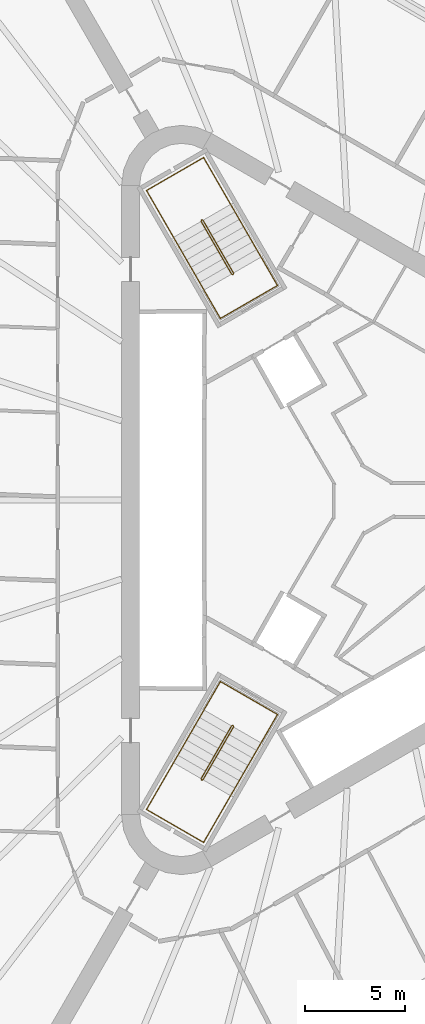
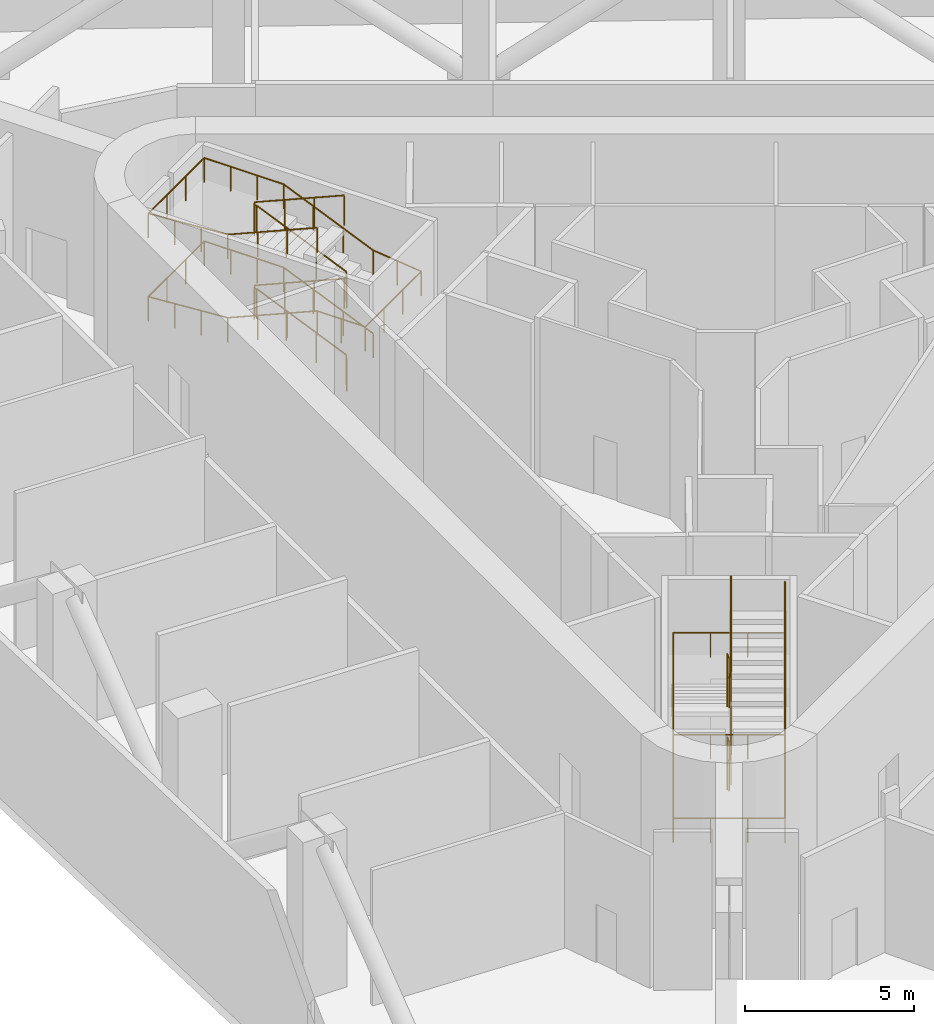
# One storey, part 12 of 13: 4 railings.
"""IFC4 building model written with IfcOpenShell, lengths in metres."""

from ifc_helpers import new_model, si_unit, direction, frame, origin, origin_2d, place, context, subcontext, project, spatial, circle, extrude, material, type_object, element, save


model = new_model("IFC4")

# Units and contexts
model_context = context("Model", 3, precision=1e-05, world=origin(), true_north=direction((0.0, 1.0)))
body_context = subcontext(model_context, "Body", "Model", "MODEL_VIEW")
ifc_project = project(units=[si_unit("LENGTHUNIT", "METRE"), si_unit("AREAUNIT", "SQUARE_METRE"), si_unit("VOLUMEUNIT", "CUBIC_METRE"), si_unit("PLANEANGLEUNIT", "RADIAN"), si_unit("MASSUNIT", "GRAM", prefix="KILO")], contexts=[model_context])

# Site, building, storey
site_placement = place(None, origin())
site = spatial("IfcSite", under=ifc_project, at=site_placement, CompositionType="ELEMENT")
building_placement = place(site_placement, origin())
building = spatial("IfcBuilding", under=site, at=building_placement, Name="Tanit Gate Tower", CompositionType="ELEMENT")
storey_placement = place(building_placement, frame((0.0, 0.0, 163.199951171875)))
storey = spatial("IfcBuildingStorey", under=building, at=storey_placement, Name="L35", CompositionType="ELEMENT", Elevation=163.199951171875)

# Railings
ifc_material_1 = material(Name="Stainless steel balustrade", Category="steel")
railing_type_1 = type_object("IfcRailingType", Name="INT-STAIR-GUARD", PredefinedType="GUARDRAIL", material=ifc_material_1)
railing_1_placement = place(storey_placement, frame((-6.527099609375, 11.29345703125, 0.0)))
element("IfcRailing", 1, at=railing_1_placement, inside=storey, type_object=railing_type_1, Name="L35 S2 stair guard 1", PredefinedType="GUARDRAIL", context=body_context, shape_type="SweptSolid", body=[
    extrude(circle(Radius=0.02392578125, at=origin_2d()), frame((0.0, 0.0, 1.076171875), z_axis=(0.868243142124, 0.496138938357, 0.0), x_axis=(-0.496138938357, 0.868243142124, 0.0)), (0.0, 0.0, 1.0), 0.01171875),
    extrude(circle(Radius=0.02392578125, at=origin_2d()), frame((0.01025390625, 0.005859375, 1.076171875), z_axis=(0.091365023295, 0.341096086969, 0.935577838543), x_axis=(-0.965948051503, 0.258736085224, 0.0)), (0.0, 0.0, 1.0), 0.200439453125),
    extrude(circle(Radius=0.02392578125, at=origin_2d()), frame((0.028564453125, 0.07421875, 1.263671875), z_axis=(-0.459281500864, 0.79545055458, 0.395371873282), x_axis=(-0.866012246495, -0.500022788402, 0.0)), (0.0, 0.0, 1.0), 3.319580078125),
    extrude(circle(Radius=0.02392578125, at=origin_2d()), frame((-1.49609375, 2.71484375, 2.576171875), z_axis=(-0.965715946433, 0.259601060869, 0.0), x_axis=(-0.259601060869, -0.965715946433, 0.0)), (0.0, 0.0, 1.0), 0.070556640625),
    extrude(circle(Radius=0.02392578125, at=origin_2d()), frame((-1.564208984375, 2.733154296875, 2.576171875), z_axis=(-0.873197702015, -0.487366159264, 0.0), x_axis=(0.487366159264, -0.873197702015, 0.0)), (0.0, 0.0, 1.0), 0.011962890625),
    extrude(circle(Radius=0.02392578125, at=origin_2d()), frame((-1.57470703125, 2.727294921875, 2.576171875), z_axis=(-0.091365023295, -0.341096086969, 0.935577838543), x_axis=(0.965948051503, -0.258736085224, 0.0)), (0.0, 0.0, 1.0), 0.200439453125),
    extrude(circle(Radius=0.02392578125, at=origin_2d()), frame((-1.593017578125, 2.658935546875, 2.763671875), z_axis=(0.459281500864, -0.79545055458, 0.395371873282), x_axis=(0.866012246495, 0.500022788402, 0.0)), (0.0, 0.0, 1.0), 3.319580078125),
    extrude(circle(Radius=0.02392578125, at=origin_2d()), frame((-0.068359375, 0.018310546875, 4.076171875), z_axis=(0.965948051503, -0.258736085224, 0.0), x_axis=(0.258736085224, 0.965948051503, 0.0)), (0.0, 0.0, 1.0), 0.07080078125),
    extrude(circle(Radius=0.02392578125, at=origin_2d()), frame((0.0, 0.0, 4.076171875), z_axis=(0.868243142124, 0.496138938357, 0.0), x_axis=(-0.496138938357, 0.868243142124, 0.0)), (0.0, 0.0, 1.0), 0.01171875),
    extrude(circle(Radius=0.02392578125, at=origin_2d()), frame((0.01025390625, 0.005859375, 4.076171875), z_axis=(0.091365023295, 0.341096086969, 0.935577838543), x_axis=(-0.965948051503, 0.258736085224, 0.0)), (0.0, 0.0, 1.0), 0.200439453125),
    extrude(circle(Radius=0.02392578125, at=origin_2d()), frame((0.028564453125, 0.07421875, 4.263671875), z_axis=(-0.459281500864, 0.79545055458, 0.395371873282), x_axis=(-0.866012246495, -0.500022788402, 0.0)), (0.0, 0.0, 1.0), 3.319580078125),
    extrude(circle(Radius=0.02392578125, at=origin_2d()), frame((-1.49609375, 2.71484375, 5.576171875), z_axis=(-0.965715946433, 0.259601060869, 0.0), x_axis=(-0.259601060869, -0.965715946433, 0.0)), (0.0, 0.0, 1.0), 0.070556640625),
    extrude(circle(Radius=0.02392578125, at=origin_2d()), frame((-1.564208984375, 2.733154296875, 5.576171875), z_axis=(-0.873197702015, -0.487366159264, 0.0), x_axis=(0.487366159264, -0.873197702015, 0.0)), (0.0, 0.0, 1.0), 0.011962890625),
    extrude(circle(Radius=0.02392578125, at=origin_2d()), frame((-1.57470703125, 2.727294921875, 5.576171875), z_axis=(-0.091365023295, -0.341096086969, 0.935577838543), x_axis=(0.965948051503, -0.258736085224, 0.0)), (0.0, 0.0, 1.0), 0.200439453125),
    extrude(circle(Radius=0.02392578125, at=origin_2d()), frame((-1.593017578125, 2.658935546875, 5.763671875), z_axis=(0.459281500864, -0.79545055458, 0.395371873282), x_axis=(0.866012246495, 0.500022788402, 0.0)), (0.0, 0.0, 1.0), 3.319580078125),
    extrude(circle(Radius=0.02099609375, at=origin_2d()), origin(), (0.0, 0.0, 1.0), 1.052001953125),
    extrude(circle(Radius=0.02099609375, at=origin_2d()), frame((0.01025390625, 0.005859375, 0.0)), (0.0, 0.0, 1.0), 1.052001953125),
    extrude(circle(Radius=0.02099609375, at=origin_2d()), frame((0.028564453125, 0.07421875, 0.1875)), (0.0, 0.0, 1.0), 1.052001953125),
    extrude(circle(Radius=0.02099609375, at=origin_2d()), frame((-0.479736328125, 0.954345703125, 0.625)), (0.0, 0.0, 1.0), 1.052001953125),
    extrude(circle(Radius=0.02099609375, at=origin_2d()), frame((-0.98779296875, 1.834716796875, 1.0625)), (0.0, 0.0, 1.0), 1.052001953125),
    extrude(circle(Radius=0.02099609375, at=origin_2d()), frame((-1.49609375, 2.71484375, 1.5)), (0.0, 0.0, 1.0), 1.052001953125),
    extrude(circle(Radius=0.02099609375, at=origin_2d()), frame((-1.564208984375, 2.733154296875, 1.5)), (0.0, 0.0, 1.0), 1.052001953125),
    extrude(circle(Radius=0.02099609375, at=origin_2d()), frame((-1.57470703125, 2.727294921875, 1.5)), (0.0, 0.0, 1.0), 1.052001953125),
    extrude(circle(Radius=0.02099609375, at=origin_2d()), frame((-1.593017578125, 2.658935546875, 1.6875)), (0.0, 0.0, 1.0), 1.052001953125),
    extrude(circle(Radius=0.02099609375, at=origin_2d()), frame((-1.084716796875, 1.77880859375, 2.125)), (0.0, 0.0, 1.0), 1.052001953125),
    extrude(circle(Radius=0.02099609375, at=origin_2d()), frame((-0.57666015625, 0.8984375, 2.5625)), (0.0, 0.0, 1.0), 1.052001953125),
    extrude(circle(Radius=0.02099609375, at=origin_2d()), frame((-0.068359375, 0.018310546875, 3.0)), (0.0, 0.0, 1.0), 1.052001953125),
    extrude(circle(Radius=0.02099609375, at=origin_2d()), frame((0.0, 0.0, 3.0)), (0.0, 0.0, 1.0), 1.052001953125),
    extrude(circle(Radius=0.02099609375, at=origin_2d()), frame((0.01025390625, 0.005859375, 3.0)), (0.0, 0.0, 1.0), 1.052001953125),
    extrude(circle(Radius=0.02099609375, at=origin_2d()), frame((0.028564453125, 0.07421875, 3.1875)), (0.0, 0.0, 1.0), 1.052001953125),
    extrude(circle(Radius=0.02099609375, at=origin_2d()), frame((-0.479736328125, 0.954345703125, 3.625)), (0.0, 0.0, 1.0), 1.052001953125),
    extrude(circle(Radius=0.02099609375, at=origin_2d()), frame((-0.98779296875, 1.834716796875, 4.0625)), (0.0, 0.0, 1.0), 1.052001953125),
    extrude(circle(Radius=0.02099609375, at=origin_2d()), frame((-1.49609375, 2.71484375, 4.5)), (0.0, 0.0, 1.0), 1.052001953125),
    extrude(circle(Radius=0.02099609375, at=origin_2d()), frame((-1.564208984375, 2.733154296875, 4.5)), (0.0, 0.0, 1.0), 1.052001953125),
    extrude(circle(Radius=0.02099609375, at=origin_2d()), frame((-1.57470703125, 2.727294921875, 4.5)), (0.0, 0.0, 1.0), 1.052001953125),
    extrude(circle(Radius=0.02099609375, at=origin_2d()), frame((-1.593017578125, 2.658935546875, 4.6875)), (0.0, 0.0, 1.0), 1.052001953125),
    extrude(circle(Radius=0.02099609375, at=origin_2d()), frame((-1.084716796875, 1.77880859375, 5.125)), (0.0, 0.0, 1.0), 1.052001953125),
    extrude(circle(Radius=0.02099609375, at=origin_2d()), frame((-0.57666015625, 0.8984375, 5.5625)), (0.0, 0.0, 1.0), 1.052001953125),
    extrude(circle(Radius=0.02099609375, at=origin_2d()), frame((-0.068359375, 0.018310546875, 6.0)), (0.0, 0.0, 1.0), 1.052001953125),
])
railing_2_placement = place(storey_placement, frame((-6.51806640625, -11.2998046875, 0.0)))
element("IfcRailing", 2, at=railing_2_placement, inside=storey, type_object=railing_type_1, Name="L35 S3 stair guard 1", PredefinedType="GUARDRAIL", context=body_context, shape_type="SweptSolid", body=[
    extrude(circle(Radius=0.02392578125, at=origin_2d()), frame((0.0, 0.0, 1.076171875), z_axis=(-0.874157276122, 0.485642931179, 0.0), x_axis=(-0.485642931179, -0.874157276122, 0.0)), (0.0, 0.0, 1.0), 0.010009765625),
    extrude(circle(Radius=0.02392578125, at=origin_2d()), frame((-0.0087890625, 0.0048828125, 1.076171875), z_axis=(-0.34113380443, -0.090156791171, 0.935681292151), x_axis=(0.255512919477, -0.966805641264, 0.0)), (0.0, 0.0, 1.0), 0.200439453125),
    extrude(circle(Radius=0.02392578125, at=origin_2d()), frame((-0.0771484375, -0.01318359375, 1.263671875), z_axis=(-0.459267510171, -0.795558940874, 0.395169995947), x_axis=(0.866048339477, -0.499960272111, 0.0)), (0.0, 0.0, 1.0), 3.3212890625),
    extrude(circle(Radius=0.02392578125, at=origin_2d()), frame((-1.6025390625, -2.655517578125, 2.576171875), z_axis=(0.258736085224, -0.965948051503, 0.0), x_axis=(0.965948051503, 0.258736085224, 0.0)), (0.0, 0.0, 1.0), 0.07080078125),
    extrude(circle(Radius=0.02392578125, at=origin_2d()), frame((-1.584228515625, -2.723876953125, 2.576171875), z_axis=(0.868243142124, -0.496138938357, 0.0), x_axis=(0.496138938357, 0.868243142124, 0.0)), (0.0, 0.0, 1.0), 0.009765625),
    extrude(circle(Radius=0.02392578125, at=origin_2d()), frame((-1.57568359375, -2.728759765625, 2.576171875), z_axis=(0.341096086969, 0.091365023295, 0.935577838543), x_axis=(-0.258736085224, 0.965948051503, 0.0)), (0.0, 0.0, 1.0), 0.200439453125),
    extrude(circle(Radius=0.02392578125, at=origin_2d()), frame((-1.50732421875, -2.71044921875, 2.763671875), z_axis=(0.459352369135, 0.79550509502, 0.395179762597), x_axis=(-0.865993683553, 0.500054937028, 0.0)), (0.0, 0.0, 1.0), 3.3212890625),
    extrude(circle(Radius=0.02392578125, at=origin_2d()), frame((0.018310546875, -0.068359375, 4.076171875), z_axis=(-0.258736085224, 0.965948051503, 0.0), x_axis=(-0.965948051503, -0.258736085224, 0.0)), (0.0, 0.0, 1.0), 0.07080078125),
    extrude(circle(Radius=0.02392578125, at=origin_2d()), frame((0.0, 0.0, 4.076171875), z_axis=(-0.874157276122, 0.485642931179, 0.0), x_axis=(-0.485642931179, -0.874157276122, 0.0)), (0.0, 0.0, 1.0), 0.010009765625),
    extrude(circle(Radius=0.02392578125, at=origin_2d()), frame((-0.0087890625, 0.0048828125, 4.076171875), z_axis=(-0.34113380443, -0.090156791171, 0.935681292151), x_axis=(0.255512919477, -0.966805641264, 0.0)), (0.0, 0.0, 1.0), 0.200439453125),
    extrude(circle(Radius=0.02392578125, at=origin_2d()), frame((-0.0771484375, -0.01318359375, 4.263671875), z_axis=(-0.459267510171, -0.795558940874, 0.395169995947), x_axis=(0.866048339477, -0.499960272111, 0.0)), (0.0, 0.0, 1.0), 3.3212890625),
    extrude(circle(Radius=0.02392578125, at=origin_2d()), frame((-1.6025390625, -2.655517578125, 5.576171875), z_axis=(0.258736085224, -0.965948051503, 0.0), x_axis=(0.965948051503, 0.258736085224, 0.0)), (0.0, 0.0, 1.0), 0.07080078125),
    extrude(circle(Radius=0.02392578125, at=origin_2d()), frame((-1.584228515625, -2.723876953125, 5.576171875), z_axis=(0.868243142124, -0.496138938357, 0.0), x_axis=(0.496138938357, 0.868243142124, 0.0)), (0.0, 0.0, 1.0), 0.009765625),
    extrude(circle(Radius=0.02392578125, at=origin_2d()), frame((-1.57568359375, -2.728759765625, 5.576171875), z_axis=(0.341096086969, 0.091365023295, 0.935577838543), x_axis=(-0.258736085224, 0.965948051503, 0.0)), (0.0, 0.0, 1.0), 0.200439453125),
    extrude(circle(Radius=0.02392578125, at=origin_2d()), frame((-1.50732421875, -2.71044921875, 5.763671875), z_axis=(0.459352369135, 0.79550509502, 0.395179762597), x_axis=(-0.865993683553, 0.500054937028, 0.0)), (0.0, 0.0, 1.0), 3.3212890625),
    extrude(circle(Radius=0.02099609375, at=origin_2d()), origin(), (0.0, 0.0, 1.0), 1.052001953125),
    extrude(circle(Radius=0.02099609375, at=origin_2d()), frame((-0.0087890625, 0.0048828125, 0.0)), (0.0, 0.0, 1.0), 1.052001953125),
    extrude(circle(Radius=0.02099609375, at=origin_2d()), frame((-0.0771484375, -0.01318359375, 0.1875)), (0.0, 0.0, 1.0), 1.052001953125),
    extrude(circle(Radius=0.02099609375, at=origin_2d()), frame((-0.585693359375, -0.89404296875, 0.625)), (0.0, 0.0, 1.0), 1.052001953125),
    extrude(circle(Radius=0.02099609375, at=origin_2d()), frame((-1.093994140625, -1.774658203125, 1.0625)), (0.0, 0.0, 1.0), 1.052001953125),
    extrude(circle(Radius=0.02099609375, at=origin_2d()), frame((-1.6025390625, -2.655517578125, 1.5)), (0.0, 0.0, 1.0), 1.052001953125),
    extrude(circle(Radius=0.02099609375, at=origin_2d()), frame((-1.584228515625, -2.723876953125, 1.5)), (0.0, 0.0, 1.0), 1.052001953125),
    extrude(circle(Radius=0.02099609375, at=origin_2d()), frame((-1.57568359375, -2.728759765625, 1.5)), (0.0, 0.0, 1.0), 1.052001953125),
    extrude(circle(Radius=0.02099609375, at=origin_2d()), frame((-1.50732421875, -2.71044921875, 1.6875)), (0.0, 0.0, 1.0), 1.052001953125),
    extrude(circle(Radius=0.02099609375, at=origin_2d()), frame((-0.998779296875, -1.829833984375, 2.125)), (0.0, 0.0, 1.0), 1.052001953125),
    extrude(circle(Radius=0.02099609375, at=origin_2d()), frame((-0.490234375, -0.948974609375, 2.5625)), (0.0, 0.0, 1.0), 1.052001953125),
    extrude(circle(Radius=0.02099609375, at=origin_2d()), frame((0.018310546875, -0.068359375, 3.0)), (0.0, 0.0, 1.0), 1.052001953125),
    extrude(circle(Radius=0.02099609375, at=origin_2d()), frame((0.0, 0.0, 3.0)), (0.0, 0.0, 1.0), 1.052001953125),
    extrude(circle(Radius=0.02099609375, at=origin_2d()), frame((-0.0087890625, 0.0048828125, 3.0)), (0.0, 0.0, 1.0), 1.052001953125),
    extrude(circle(Radius=0.02099609375, at=origin_2d()), frame((-0.0771484375, -0.01318359375, 3.1875)), (0.0, 0.0, 1.0), 1.052001953125),
    extrude(circle(Radius=0.02099609375, at=origin_2d()), frame((-0.585693359375, -0.89404296875, 3.625)), (0.0, 0.0, 1.0), 1.052001953125),
    extrude(circle(Radius=0.02099609375, at=origin_2d()), frame((-1.093994140625, -1.774658203125, 4.0625)), (0.0, 0.0, 1.0), 1.052001953125),
    extrude(circle(Radius=0.02099609375, at=origin_2d()), frame((-1.6025390625, -2.655517578125, 4.5)), (0.0, 0.0, 1.0), 1.052001953125),
    extrude(circle(Radius=0.02099609375, at=origin_2d()), frame((-1.584228515625, -2.723876953125, 4.5)), (0.0, 0.0, 1.0), 1.052001953125),
    extrude(circle(Radius=0.02099609375, at=origin_2d()), frame((-1.57568359375, -2.728759765625, 4.5)), (0.0, 0.0, 1.0), 1.052001953125),
    extrude(circle(Radius=0.02099609375, at=origin_2d()), frame((-1.50732421875, -2.71044921875, 4.6875)), (0.0, 0.0, 1.0), 1.052001953125),
    extrude(circle(Radius=0.02099609375, at=origin_2d()), frame((-0.998779296875, -1.829833984375, 5.125)), (0.0, 0.0, 1.0), 1.052001953125),
    extrude(circle(Radius=0.02099609375, at=origin_2d()), frame((-0.490234375, -0.948974609375, 5.5625)), (0.0, 0.0, 1.0), 1.052001953125),
    extrude(circle(Radius=0.02099609375, at=origin_2d()), frame((0.018310546875, -0.068359375, 6.0)), (0.0, 0.0, 1.0), 1.052001953125),
])
ifc_material_2 = material(Name="Stainless steel handrail", Category="steel")
railing_type_2 = type_object("IfcRailingType", Name="INT-STAIR-HANDRAIL", PredefinedType="HANDRAIL", material=ifc_material_2)
railing_3_placement = place(storey_placement, frame((-5.1181640625, 12.164794921875, 0.1875)))
element("IfcRailing", 3, at=railing_3_placement, inside=storey, type_object=railing_type_2, Name="L35 S2 stair handrail 1", PredefinedType="HANDRAIL", context=body_context, shape_type="SweptSolid", body=[
    extrude(circle(Radius=0.02392578125, at=origin_2d()), frame((0.0, 0.0, 0.8759765625), z_axis=(-0.459223467357, 0.795477421995, 0.3953852275), x_axis=(-0.866046917185, -0.499962735845, 0.0)), (0.0, 0.0, 1.0), 3.319580078125),
    extrude(circle(Radius=0.02392578125, at=origin_2d()), frame((-1.5244140625, 2.640625, 2.1884765625), z_axis=(-0.500019123664, 0.86601436245, 0.0), x_axis=(-0.86601436245, -0.500019123664, 0.0)), (0.0, 0.0, 1.0), 2.70703125),
    extrude(circle(Radius=0.02392578125, at=origin_2d()), frame((-2.8779296875, 4.98486328125, 2.1884765625), z_axis=(-0.866008176907, -0.50002983664, 0.0), x_axis=(0.50002983664, -0.866008176907, 0.0)), (0.0, 0.0, 1.0), 3.300048828125),
    extrude(circle(Radius=0.02392578125, at=origin_2d()), frame((-5.73583984375, 3.334716796875, 2.1884765625), z_axis=(0.498862685348, -0.863921472227, 0.069106519182), x_axis=(0.865991810323, 0.500058181068, 0.0)), (0.0, 0.0, 1.0), 2.713134765625),
    extrude(circle(Radius=0.02392578125, at=origin_2d()), frame((-4.38232421875, 0.99072265625, 2.3759765625), z_axis=(0.459254633775, -0.795477561817, 0.395348744784), x_axis=(0.866032263162, 0.499988119021, 0.0)), (0.0, 0.0, 1.0), 3.31982421875),
    extrude(circle(Radius=0.02392578125, at=origin_2d()), frame((-2.857666015625, -1.650146484375, 3.6884765625), z_axis=(0.499941024108, -0.866059450854, 0.0), x_axis=(0.866059450854, 0.499941024108, 0.0)), (0.0, 0.0, 1.0), 1.643798828125),
    extrude(circle(Radius=0.02392578125, at=origin_2d()), frame((-2.035888671875, -3.07373046875, 3.6884765625), z_axis=(0.866040211805, 0.499974350878, 0.0), x_axis=(-0.499974350878, 0.866040211805, 0.0)), (0.0, 0.0, 1.0), 3.300048828125),
    extrude(circle(Radius=0.02392578125, at=origin_2d()), frame((0.822021484375, -1.423828125, 3.6884765625), z_axis=(-0.496767975462, 0.860454657824, 0.113310901442), x_axis=(-0.866032269107, -0.499988108725, 0.0)), (0.0, 0.0, 1.0), 1.65478515625),
    extrude(circle(Radius=0.02392578125, at=origin_2d()), frame((0.0, 0.0, 3.8759765625), z_axis=(-0.459223467357, 0.795477421995, 0.3953852275), x_axis=(-0.866046917185, -0.499962735845, 0.0)), (0.0, 0.0, 1.0), 3.319580078125),
    extrude(circle(Radius=0.02392578125, at=origin_2d()), frame((-1.5244140625, 2.640625, 5.1884765625), z_axis=(-0.500019123664, 0.86601436245, 0.0), x_axis=(-0.86601436245, -0.500019123664, 0.0)), (0.0, 0.0, 1.0), 2.70703125),
    extrude(circle(Radius=0.02392578125, at=origin_2d()), frame((-2.8779296875, 4.98486328125, 5.1884765625), z_axis=(-0.866008176907, -0.50002983664, 0.0), x_axis=(0.50002983664, -0.866008176907, 0.0)), (0.0, 0.0, 1.0), 3.300048828125),
    extrude(circle(Radius=0.02392578125, at=origin_2d()), frame((-5.73583984375, 3.334716796875, 5.1884765625), z_axis=(0.498862685348, -0.863921472227, 0.069106519182), x_axis=(0.865991810323, 0.500058181068, 0.0)), (0.0, 0.0, 1.0), 2.713134765625),
    extrude(circle(Radius=0.02392578125, at=origin_2d()), frame((-4.38232421875, 0.99072265625, 5.3759765625), z_axis=(0.459254633775, -0.795477561817, 0.395348744784), x_axis=(0.866032263162, 0.499988119021, 0.0)), (0.0, 0.0, 1.0), 3.31982421875),
    extrude(circle(Radius=0.02099609375, at=origin_2d()), origin(), (0.0, 0.0, 1.0), 0.851806640625),
    extrude(circle(Radius=0.02099609375, at=origin_2d()), frame((-0.508056640625, 0.880126953125, 0.4375)), (0.0, 0.0, 1.0), 0.851806640625),
    extrude(circle(Radius=0.02099609375, at=origin_2d()), frame((-1.016357421875, 1.760498046875, 0.875)), (0.0, 0.0, 1.0), 0.851806640625),
    extrude(circle(Radius=0.02099609375, at=origin_2d()), frame((-1.5244140625, 2.640625, 1.3125)), (0.0, 0.0, 1.0), 0.851806640625),
    extrude(circle(Radius=0.02099609375, at=origin_2d()), frame((-1.9755859375, 3.422119140625, 1.3125)), (0.0, 0.0, 1.0), 0.851806640625),
    extrude(circle(Radius=0.02099609375, at=origin_2d()), frame((-2.4267578125, 4.203369140625, 1.3125)), (0.0, 0.0, 1.0), 0.851806640625),
    extrude(circle(Radius=0.02099609375, at=origin_2d()), frame((-2.8779296875, 4.98486328125, 1.3125)), (0.0, 0.0, 1.0), 0.851806640625),
    extrude(circle(Radius=0.02099609375, at=origin_2d()), frame((-3.83056640625, 4.434814453125, 1.3125)), (0.0, 0.0, 1.0), 0.851806640625),
    extrude(circle(Radius=0.02099609375, at=origin_2d()), frame((-4.783203125, 3.884765625, 1.3125)), (0.0, 0.0, 1.0), 0.851806640625),
    extrude(circle(Radius=0.02099609375, at=origin_2d()), frame((-5.73583984375, 3.334716796875, 1.3125)), (0.0, 0.0, 1.0), 0.851806640625),
    extrude(circle(Radius=0.02099609375, at=origin_2d()), frame((-5.28466796875, 2.553466796875, 1.375)), (0.0, 0.0, 1.0), 0.851806640625),
    extrude(circle(Radius=0.02099609375, at=origin_2d()), frame((-4.83349609375, 1.77197265625, 1.4375)), (0.0, 0.0, 1.0), 0.851806640625),
    extrude(circle(Radius=0.02099609375, at=origin_2d()), frame((-4.38232421875, 0.99072265625, 1.5)), (0.0, 0.0, 1.0), 0.851806640625),
    extrude(circle(Radius=0.02099609375, at=origin_2d()), frame((-3.8740234375, 0.1103515625, 1.9375)), (0.0, 0.0, 1.0), 0.851806640625),
    extrude(circle(Radius=0.02099609375, at=origin_2d()), frame((-3.365966796875, -0.769775390625, 2.375)), (0.0, 0.0, 1.0), 0.851806640625),
    extrude(circle(Radius=0.02099609375, at=origin_2d()), frame((-2.857666015625, -1.650146484375, 2.8125)), (0.0, 0.0, 1.0), 0.851806640625),
    extrude(circle(Radius=0.02099609375, at=origin_2d()), frame((-2.44677734375, -2.36181640625, 2.8125)), (0.0, 0.0, 1.0), 0.851806640625),
    extrude(circle(Radius=0.02099609375, at=origin_2d()), frame((-2.035888671875, -3.07373046875, 2.8125)), (0.0, 0.0, 1.0), 0.851806640625),
    extrude(circle(Radius=0.02099609375, at=origin_2d()), frame((-1.083251953125, -2.523681640625, 2.8125)), (0.0, 0.0, 1.0), 0.851806640625),
    extrude(circle(Radius=0.02099609375, at=origin_2d()), frame((-0.130615234375, -1.973876953125, 2.8125)), (0.0, 0.0, 1.0), 0.851806640625),
    extrude(circle(Radius=0.02099609375, at=origin_2d()), frame((0.822021484375, -1.423828125, 2.8125)), (0.0, 0.0, 1.0), 0.851806640625),
    extrude(circle(Radius=0.02099609375, at=origin_2d()), frame((0.4111328125, -0.7119140625, 2.90625)), (0.0, 0.0, 1.0), 0.851806640625),
    extrude(circle(Radius=0.02099609375, at=origin_2d()), frame((0.0, 0.0, 3.0)), (0.0, 0.0, 1.0), 0.851806640625),
    extrude(circle(Radius=0.02099609375, at=origin_2d()), frame((-0.508056640625, 0.880126953125, 3.4375)), (0.0, 0.0, 1.0), 0.851806640625),
    extrude(circle(Radius=0.02099609375, at=origin_2d()), frame((-1.016357421875, 1.760498046875, 3.875)), (0.0, 0.0, 1.0), 0.851806640625),
    extrude(circle(Radius=0.02099609375, at=origin_2d()), frame((-1.5244140625, 2.640625, 4.3125)), (0.0, 0.0, 1.0), 0.851806640625),
    extrude(circle(Radius=0.02099609375, at=origin_2d()), frame((-1.9755859375, 3.422119140625, 4.3125)), (0.0, 0.0, 1.0), 0.851806640625),
    extrude(circle(Radius=0.02099609375, at=origin_2d()), frame((-2.4267578125, 4.203369140625, 4.3125)), (0.0, 0.0, 1.0), 0.851806640625),
    extrude(circle(Radius=0.02099609375, at=origin_2d()), frame((-2.8779296875, 4.98486328125, 4.3125)), (0.0, 0.0, 1.0), 0.851806640625),
    extrude(circle(Radius=0.02099609375, at=origin_2d()), frame((-3.83056640625, 4.434814453125, 4.3125)), (0.0, 0.0, 1.0), 0.851806640625),
    extrude(circle(Radius=0.02099609375, at=origin_2d()), frame((-4.783203125, 3.884765625, 4.3125)), (0.0, 0.0, 1.0), 0.851806640625),
    extrude(circle(Radius=0.02099609375, at=origin_2d()), frame((-5.73583984375, 3.334716796875, 4.3125)), (0.0, 0.0, 1.0), 0.851806640625),
    extrude(circle(Radius=0.02099609375, at=origin_2d()), frame((-5.28466796875, 2.553466796875, 4.375)), (0.0, 0.0, 1.0), 0.851806640625),
    extrude(circle(Radius=0.02099609375, at=origin_2d()), frame((-4.83349609375, 1.77197265625, 4.4375)), (0.0, 0.0, 1.0), 0.851806640625),
    extrude(circle(Radius=0.02099609375, at=origin_2d()), frame((-4.38232421875, 0.99072265625, 4.5)), (0.0, 0.0, 1.0), 0.851806640625),
    extrude(circle(Radius=0.02099609375, at=origin_2d()), frame((-3.8740234375, 0.1103515625, 4.9375)), (0.0, 0.0, 1.0), 0.851806640625),
    extrude(circle(Radius=0.02099609375, at=origin_2d()), frame((-3.365966796875, -0.769775390625, 5.375)), (0.0, 0.0, 1.0), 0.851806640625),
    extrude(circle(Radius=0.02099609375, at=origin_2d()), frame((-2.857666015625, -1.650146484375, 5.8125)), (0.0, 0.0, 1.0), 0.851806640625),
])
railing_4_placement = place(storey_placement, frame((-7.9765625, -10.515625, 0.1875)))
element("IfcRailing", 4, at=railing_4_placement, inside=storey, type_object=railing_type_2, Name="L35 S3 stair handrail 1", PredefinedType="HANDRAIL", context=body_context, shape_type="SweptSolid", body=[
    extrude(circle(Radius=0.02392578125, at=origin_2d()), frame((0.0, 0.0, 0.8759765625), z_axis=(-0.459267510171, -0.795558940874, 0.395169995947), x_axis=(0.866048339477, -0.499960272111, 0.0)), (0.0, 0.0, 1.0), 3.3212890625),
    extrude(circle(Radius=0.02392578125, at=origin_2d()), frame((-1.525390625, -2.642333984375, 2.1884765625), z_axis=(-0.50004290449, -0.866000631449, 0.0), x_axis=(0.866000631449, -0.50004290449, 0.0)), (0.0, 0.0, 1.0), 2.703857421875),
    extrude(circle(Radius=0.02392578125, at=origin_2d()), frame((-2.87744140625, -4.98388671875, 2.1884765625), z_axis=(0.866008176907, -0.50002983664, 0.0), x_axis=(0.50002983664, 0.866008176907, 0.0)), (0.0, 0.0, 1.0), 3.300048828125),
    extrude(circle(Radius=0.02392578125, at=origin_2d()), frame((-0.01953125, -6.634033203125, 2.1884765625), z_axis=(0.498806118336, 0.863948769787, 0.069173546205), x_axis=(-0.866023205937, 0.500003806764, 0.0)), (0.0, 0.0, 1.0), 2.710693359375),
    extrude(circle(Radius=0.02392578125, at=origin_2d()), frame((1.33251953125, -4.292236328125, 2.3759765625), z_axis=(0.459267510171, 0.795558940874, 0.395169995947), x_axis=(-0.866048339477, 0.499960272111, 0.0)), (0.0, 0.0, 1.0), 3.3212890625),
    extrude(circle(Radius=0.02392578125, at=origin_2d()), frame((2.85791015625, -1.64990234375, 3.6884765625), z_axis=(0.50001794124, 0.866015045157, 0.0), x_axis=(-0.866015045157, 0.50001794124, 0.0)), (0.0, 0.0, 1.0), 1.64501953125),
    extrude(circle(Radius=0.02392578125, at=origin_2d()), frame((3.680419921875, -0.225341796875, 3.6884765625), z_axis=(-0.866040211805, 0.499974350878, 0.0), x_axis=(-0.499974350878, -0.866040211805, 0.0)), (0.0, 0.0, 1.0), 3.300048828125),
    extrude(circle(Radius=0.02392578125, at=origin_2d()), frame((0.822509765625, 1.424560546875, 3.6884765625), z_axis=(-0.496801021229, -0.860443442824, 0.113251167796), x_axis=(0.866015045157, -0.50001794124, 0.0)), (0.0, 0.0, 1.0), 1.655517578125),
    extrude(circle(Radius=0.02392578125, at=origin_2d()), frame((0.0, 0.0, 3.8759765625), z_axis=(-0.459267510171, -0.795558940874, 0.395169995947), x_axis=(0.866048339477, -0.499960272111, 0.0)), (0.0, 0.0, 1.0), 3.3212890625),
    extrude(circle(Radius=0.02392578125, at=origin_2d()), frame((-1.525390625, -2.642333984375, 5.1884765625), z_axis=(-0.50004290449, -0.866000631449, 0.0), x_axis=(0.866000631449, -0.50004290449, 0.0)), (0.0, 0.0, 1.0), 2.703857421875),
    extrude(circle(Radius=0.02392578125, at=origin_2d()), frame((-2.87744140625, -4.98388671875, 5.1884765625), z_axis=(0.866008176907, -0.50002983664, 0.0), x_axis=(0.50002983664, 0.866008176907, 0.0)), (0.0, 0.0, 1.0), 3.300048828125),
    extrude(circle(Radius=0.02392578125, at=origin_2d()), frame((-0.01953125, -6.634033203125, 5.1884765625), z_axis=(0.498806118336, 0.863948769787, 0.069173546205), x_axis=(-0.866023205937, 0.500003806764, 0.0)), (0.0, 0.0, 1.0), 2.710693359375),
    extrude(circle(Radius=0.02392578125, at=origin_2d()), frame((1.33251953125, -4.292236328125, 5.3759765625), z_axis=(0.459267510171, 0.795558940874, 0.395169995947), x_axis=(-0.866048339477, 0.499960272111, 0.0)), (0.0, 0.0, 1.0), 3.3212890625),
    extrude(circle(Radius=0.02099609375, at=origin_2d()), origin(), (0.0, 0.0, 1.0), 0.851806640625),
    extrude(circle(Radius=0.02099609375, at=origin_2d()), frame((-0.508544921875, -0.880859375, 0.4375)), (0.0, 0.0, 1.0), 0.851806640625),
    extrude(circle(Radius=0.02099609375, at=origin_2d()), frame((-1.016845703125, -1.761474609375, 0.875)), (0.0, 0.0, 1.0), 0.851806640625),
    extrude(circle(Radius=0.02099609375, at=origin_2d()), frame((-1.525390625, -2.642333984375, 1.3125)), (0.0, 0.0, 1.0), 0.851806640625),
    extrude(circle(Radius=0.02099609375, at=origin_2d()), frame((-1.97607421875, -3.4228515625, 1.3125)), (0.0, 0.0, 1.0), 0.851806640625),
    extrude(circle(Radius=0.02099609375, at=origin_2d()), frame((-2.4267578125, -4.203369140625, 1.3125)), (0.0, 0.0, 1.0), 0.851806640625),
    extrude(circle(Radius=0.02099609375, at=origin_2d()), frame((-2.87744140625, -4.98388671875, 1.3125)), (0.0, 0.0, 1.0), 0.851806640625),
    extrude(circle(Radius=0.02099609375, at=origin_2d()), frame((-1.9248046875, -5.533935546875, 1.3125)), (0.0, 0.0, 1.0), 0.851806640625),
    extrude(circle(Radius=0.02099609375, at=origin_2d()), frame((-0.97216796875, -6.083984375, 1.3125)), (0.0, 0.0, 1.0), 0.851806640625),
    extrude(circle(Radius=0.02099609375, at=origin_2d()), frame((-0.01953125, -6.634033203125, 1.3125)), (0.0, 0.0, 1.0), 0.851806640625),
    extrude(circle(Radius=0.02099609375, at=origin_2d()), frame((0.43115234375, -5.853515625, 1.375)), (0.0, 0.0, 1.0), 0.851806640625),
    extrude(circle(Radius=0.02099609375, at=origin_2d()), frame((0.8818359375, -5.07275390625, 1.4375)), (0.0, 0.0, 1.0), 0.851806640625),
    extrude(circle(Radius=0.02099609375, at=origin_2d()), frame((1.33251953125, -4.292236328125, 1.5)), (0.0, 0.0, 1.0), 0.851806640625),
    extrude(circle(Radius=0.02099609375, at=origin_2d()), frame((1.841064453125, -3.411376953125, 1.9375)), (0.0, 0.0, 1.0), 0.851806640625),
    extrude(circle(Radius=0.02099609375, at=origin_2d()), frame((2.349365234375, -2.53076171875, 2.375)), (0.0, 0.0, 1.0), 0.851806640625),
    extrude(circle(Radius=0.02099609375, at=origin_2d()), frame((2.85791015625, -1.64990234375, 2.8125)), (0.0, 0.0, 1.0), 0.851806640625),
    extrude(circle(Radius=0.02099609375, at=origin_2d()), frame((3.26904296875, -0.9375, 2.8125)), (0.0, 0.0, 1.0), 0.851806640625),
    extrude(circle(Radius=0.02099609375, at=origin_2d()), frame((3.680419921875, -0.225341796875, 2.8125)), (0.0, 0.0, 1.0), 0.851806640625),
    extrude(circle(Radius=0.02099609375, at=origin_2d()), frame((2.727783203125, 0.32470703125, 2.8125)), (0.0, 0.0, 1.0), 0.851806640625),
    extrude(circle(Radius=0.02099609375, at=origin_2d()), frame((1.775146484375, 0.87451171875, 2.8125)), (0.0, 0.0, 1.0), 0.851806640625),
    extrude(circle(Radius=0.02099609375, at=origin_2d()), frame((0.822509765625, 1.424560546875, 2.8125)), (0.0, 0.0, 1.0), 0.851806640625),
    extrude(circle(Radius=0.02099609375, at=origin_2d()), frame((0.4111328125, 0.71240234375, 2.90625)), (0.0, 0.0, 1.0), 0.851806640625),
    extrude(circle(Radius=0.02099609375, at=origin_2d()), frame((0.0, 0.0, 3.0)), (0.0, 0.0, 1.0), 0.851806640625),
    extrude(circle(Radius=0.02099609375, at=origin_2d()), frame((-0.508544921875, -0.880859375, 3.4375)), (0.0, 0.0, 1.0), 0.851806640625),
    extrude(circle(Radius=0.02099609375, at=origin_2d()), frame((-1.016845703125, -1.761474609375, 3.875)), (0.0, 0.0, 1.0), 0.851806640625),
    extrude(circle(Radius=0.02099609375, at=origin_2d()), frame((-1.525390625, -2.642333984375, 4.3125)), (0.0, 0.0, 1.0), 0.851806640625),
    extrude(circle(Radius=0.02099609375, at=origin_2d()), frame((-1.97607421875, -3.4228515625, 4.3125)), (0.0, 0.0, 1.0), 0.851806640625),
    extrude(circle(Radius=0.02099609375, at=origin_2d()), frame((-2.4267578125, -4.203369140625, 4.3125)), (0.0, 0.0, 1.0), 0.851806640625),
    extrude(circle(Radius=0.02099609375, at=origin_2d()), frame((-2.87744140625, -4.98388671875, 4.3125)), (0.0, 0.0, 1.0), 0.851806640625),
    extrude(circle(Radius=0.02099609375, at=origin_2d()), frame((-1.9248046875, -5.533935546875, 4.3125)), (0.0, 0.0, 1.0), 0.851806640625),
    extrude(circle(Radius=0.02099609375, at=origin_2d()), frame((-0.97216796875, -6.083984375, 4.3125)), (0.0, 0.0, 1.0), 0.851806640625),
    extrude(circle(Radius=0.02099609375, at=origin_2d()), frame((-0.01953125, -6.634033203125, 4.3125)), (0.0, 0.0, 1.0), 0.851806640625),
    extrude(circle(Radius=0.02099609375, at=origin_2d()), frame((0.43115234375, -5.853515625, 4.375)), (0.0, 0.0, 1.0), 0.851806640625),
    extrude(circle(Radius=0.02099609375, at=origin_2d()), frame((0.8818359375, -5.07275390625, 4.4375)), (0.0, 0.0, 1.0), 0.851806640625),
    extrude(circle(Radius=0.02099609375, at=origin_2d()), frame((1.33251953125, -4.292236328125, 4.5)), (0.0, 0.0, 1.0), 0.851806640625),
    extrude(circle(Radius=0.02099609375, at=origin_2d()), frame((1.841064453125, -3.411376953125, 4.9375)), (0.0, 0.0, 1.0), 0.851806640625),
    extrude(circle(Radius=0.02099609375, at=origin_2d()), frame((2.349365234375, -2.53076171875, 5.375)), (0.0, 0.0, 1.0), 0.851806640625),
    extrude(circle(Radius=0.02099609375, at=origin_2d()), frame((2.85791015625, -1.64990234375, 5.8125)), (0.0, 0.0, 1.0), 0.851806640625),
])

save(model, "model.ifc")
